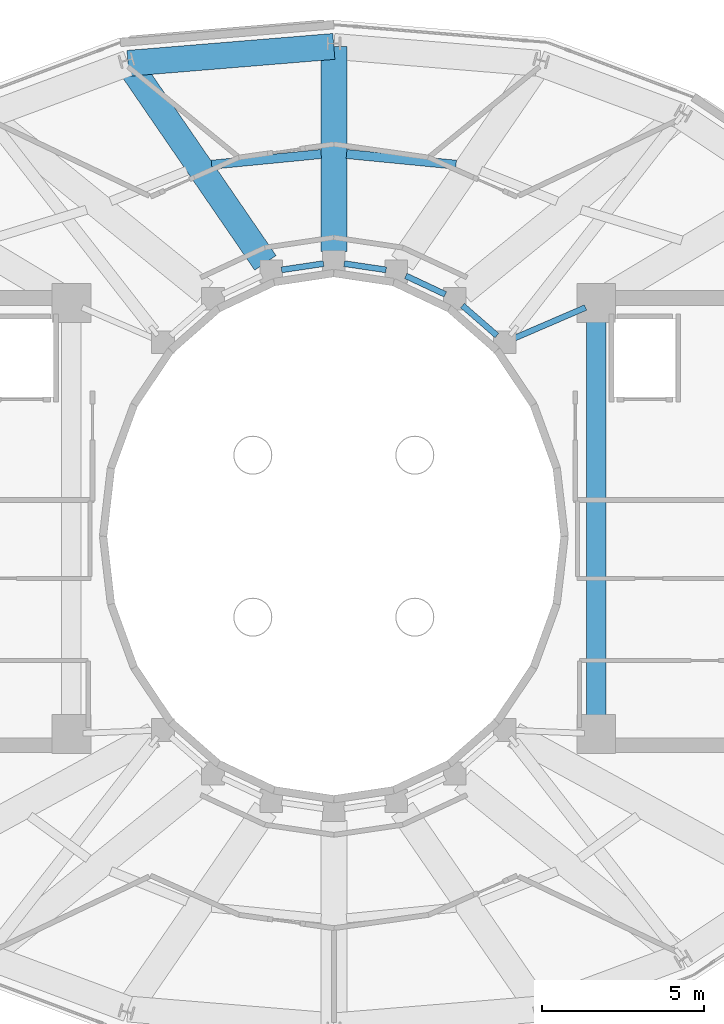
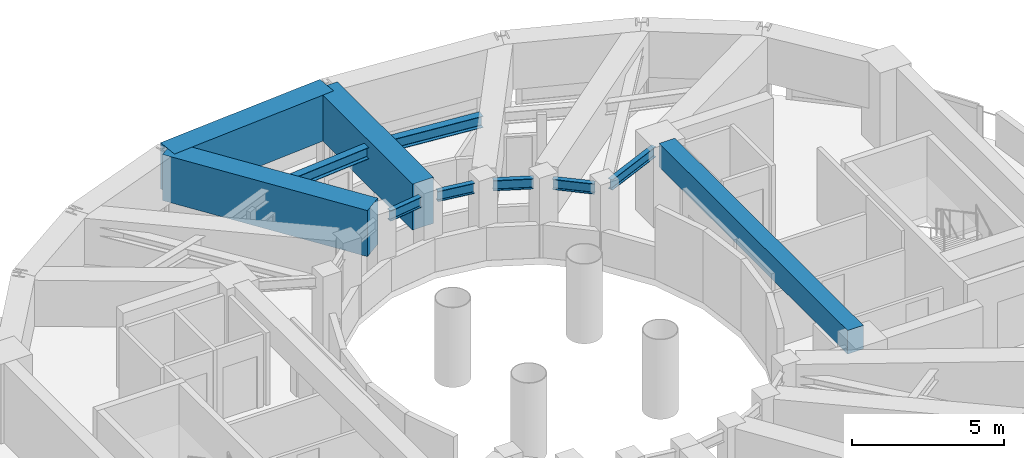
# One storey, part 8 of 17: 11 beams.
"""IFC4 building model written with IfcOpenShell, lengths in metres."""

from ifc_helpers import new_model, si_unit, direction, frame, origin, origin_2d, place, context, subcontext, project, spatial, rectangle, i_section, extrude, material, material_profile, profile_set, type_object, element, save


model = new_model("IFC4")

# Units and contexts
model_context = context("Model", 3, precision=1e-05, world=origin(), true_north=direction((0.0, 1.0)))
body_context = subcontext(model_context, "Body", "Model", "MODEL_VIEW")
ifc_project = project(units=[si_unit("LENGTHUNIT", "METRE"), si_unit("AREAUNIT", "SQUARE_METRE"), si_unit("VOLUMEUNIT", "CUBIC_METRE"), si_unit("PLANEANGLEUNIT", "RADIAN"), si_unit("MASSUNIT", "GRAM", prefix="KILO")], contexts=[model_context])

# Site, building, storey
site_placement = place(None, origin())
site = spatial("IfcSite", under=ifc_project, at=site_placement, CompositionType="ELEMENT")
building_placement = place(site_placement, origin())
building = spatial("IfcBuilding", under=site, at=building_placement, Name="Solvane Sanctuary Tower", CompositionType="ELEMENT")
storey_placement = place(building_placement, frame((0.0, 0.0, 270.0)))
storey = spatial("IfcBuildingStorey", under=building, at=storey_placement, Name="L82", CompositionType="ELEMENT", Elevation=270.0)

# Beams
ifc_material_1 = material(Name="Concrete C70/85", Category="concrete")
ifc_material_profile_1 = material_profile(ifc_material_1, rectangle(XDim=0.60009765625, YDim=0.949951171875, at=origin_2d()), Name="RC600X950")
ifc_profile_set_1 = profile_set([ifc_material_profile_1], Name="Concrete C70/85")
beam_type_1 = type_object("IfcBeamType", Name="Beam B-COUPLE RC600X950", PredefinedType="LINTEL", material=ifc_profile_set_1)
beam_1_placement = place(storey_placement, frame((40.10009765625, 17.35009765625, 2.72509765625), z_axis=(0.0, 1.0, 0.0), x_axis=(-1.0, 0.0, 0.0)))
element("IfcBeam", 1, at=beam_1_placement, inside=storey, type_object=beam_type_1, Name="L82 East Core Coupling Lintel", PredefinedType="LINTEL", context=body_context, shape_type="SweptSolid", body=[
    extrude(rectangle(XDim=0.60009765625, YDim=0.949951171875, at=origin_2d()), origin(), (0.0, 0.0, 1.0), 12.39990234375),
])
ifc_material_2 = material(Name="Steel ASTM A992 Grade 50", Category="steel")
ifc_material_profile_2 = material_profile(ifc_material_2, i_section(OverallWidth=0.180908203125, OverallDepth=0.4169921875, WebThickness=0.010986328125, FlangeThickness=0.018310546875, FilletRadius=0.012939453125, at=origin_2d()), Name="W16X57")
ifc_profile_set_2 = profile_set([ifc_material_profile_2], Name="Steel ASTM A992 Grade 50")
beam_type_2 = type_object("IfcBeamType", Name="Beam B-ROOF-BM W16X57", PredefinedType="BEAM", material=ifc_profile_set_2)
for number, where, z_axis, x_axis, name in (
    (2, (30.3857421875, 31.218994140625, 2.7294921875), (0.989056121481, 0.147539786368, 0.0), (-0.147539786368, 0.989056121481, 0.0), "L82 Inner Light-Well Ring Beam IC05-IC04"),
    (3, (32.31640625, 31.41259765625, 2.7294921875), (0.989056121481, -0.147539786368, 0.0), (0.147539786368, 0.989056121481, 0.0), "L82 Inner Light-Well Ring Beam IC04-IC03"),
):
    element("IfcBeam", number, at=place(storey_placement, frame(where, z_axis=z_axis, x_axis=x_axis)), inside=storey, type_object=beam_type_2, Name=name, PredefinedType="BEAM", context=body_context, shape_type="SweptSolid", body=[
        extrude(i_section(OverallWidth=0.180908203125, OverallDepth=0.4169921875, WebThickness=0.010986328125, FlangeThickness=0.018310546875, FilletRadius=0.012939453125, at=origin_2d()), origin(), (0.0, 0.0, 1.0), 1.312255859375),
    ])
beam_2_placement = place(storey_placement, frame((34.220458984375, 31.03564453125, 2.7294921875), z_axis=(0.905134542189, -0.425125229241, 0.0), x_axis=(0.425125229241, 0.905134542189, 0.0)))
element("IfcBeam", 4, at=beam_2_placement, inside=storey, type_object=beam_type_2, Name="L82 Inner Light-Well Ring Beam IC03-IC02", PredefinedType="BEAM", context=body_context, shape_type="SweptSolid", body=[
    extrude(i_section(OverallWidth=0.180908203125, OverallDepth=0.4169921875, WebThickness=0.010986328125, FlangeThickness=0.018310546875, FilletRadius=0.012939453125, at=origin_2d()), origin(), (0.0, 0.0, 1.0), 1.347900390625),
])
beam_3_placement = place(storey_placement, frame((35.971435546875, 30.116455078125, 2.7294921875), z_axis=(0.754388985763, -0.656427648839, 0.0), x_axis=(0.656427648839, 0.754388985763, 0.0)))
element("IfcBeam", 5, at=beam_3_placement, inside=storey, type_object=beam_type_2, Name="L82 Inner Light-Well Ring Beam IC02-IC01", PredefinedType="BEAM", context=body_context, shape_type="SweptSolid", body=[
    extrude(i_section(OverallWidth=0.180908203125, OverallDepth=0.4169921875, WebThickness=0.010986328125, FlangeThickness=0.018310546875, FilletRadius=0.012939453125, at=origin_2d()), origin(), (0.0, 0.0, 1.0), 1.408203125),
])
beam_4_placement = place(storey_placement, frame((37.56884765625, 29.10888671875, 2.7294921875), z_axis=(0.918283854026, 0.395922673554, 0.0), x_axis=(-0.395922673554, 0.918283854026, 0.0)))
element("IfcBeam", 6, at=beam_4_placement, inside=storey, type_object=beam_type_2, Name="L82 Inner Light-Well Ring Beam IC01-CE4", PredefinedType="BEAM", context=body_context, shape_type="SweptSolid", body=[
    extrude(i_section(OverallWidth=0.180908203125, OverallDepth=0.4169921875, WebThickness=0.010986328125, FlangeThickness=0.018310546875, FilletRadius=0.012939453125, at=origin_2d()), origin(), (0.0, 0.0, 1.0), 2.396240234375),
])
ifc_material_profile_3 = material_profile(ifc_material_2, i_section(OverallWidth=0.280029296875, OverallDepth=0.462890625, WebThickness=0.0107421875, FlangeThickness=0.017333984375, FilletRadius=0.013916015625, at=origin_2d()), Name="W18X76")
ifc_profile_set_3 = profile_set([ifc_material_profile_3], Name="Steel ASTM A992 Grade 50")
beam_type_3 = type_object("IfcBeamType", Name="Beam B-SEC-JOIST W18X76", PredefinedType="JOIST", material=ifc_profile_set_3)
for number, where, z_axis, x_axis, name in (
    (7, (28.228515625, 34.465087890625, 2.70654296875), (0.995261061965, 0.097238976426, 0.0), (-0.097238976426, 0.995261061965, 0.0), "L82 Secondary Circumferential Joist 05-04"),
    (8, (32.39306640625, 34.795166015625, 2.70654296875), (0.995261061965, -0.097238976426, 0.0), (0.097238976426, 0.995261061965, 0.0), "L82 Secondary Circumferential Joist 04-03"),
):
    element("IfcBeam", number, at=place(storey_placement, frame(where, z_axis=z_axis, x_axis=x_axis)), inside=storey, type_object=beam_type_3, Name=name, PredefinedType="JOIST", context=body_context, shape_type="SweptSolid", body=[
        extrude(i_section(OverallWidth=0.280029296875, OverallDepth=0.462890625, WebThickness=0.0107421875, FlangeThickness=0.017333984375, FilletRadius=0.013916015625, at=origin_2d()), origin(), (0.0, 0.0, 1.0), 3.39453125),
    ])
ifc_material_profile_4 = material_profile(ifc_material_1, rectangle(XDim=0.800048828125, YDim=1.85009765625, at=origin_2d()), Name="RC800X1850")
ifc_profile_set_4 = profile_set([ifc_material_profile_4], Name="Concrete C70/85")
beam_type_4 = type_object("IfcBeamType", Name="Beam B-XFER-BLK RC800X1850", PredefinedType="BEAM", material=ifc_profile_set_4)
beam_5_placement = place(storey_placement, frame((32.0, 31.780029296875, 2.27490234375), z_axis=(0.0, 1.0, 0.0), x_axis=(-1.0, 0.0, 0.0)))
element("IfcBeam", 9, at=beam_5_placement, inside=storey, type_object=beam_type_4, Name="L82 Block-Shift Radial Transfer Girder 04A", PredefinedType="BEAM", context=body_context, shape_type="SweptSolid", body=[
    extrude(rectangle(XDim=0.800048828125, YDim=1.85009765625, at=origin_2d()), origin(), (0.0, 0.0, 1.0), 6.326904296875),
])
beam_6_placement = place(storey_placement, frame((29.88818359375, 31.435546875, 2.27490234375), z_axis=(-0.565871663748, 0.824493335429, 0.0), x_axis=(-0.824493335429, -0.565871663748, 0.0)))
element("IfcBeam", 10, at=beam_6_placement, inside=storey, type_object=beam_type_4, Name="L82 Block-Shift Radial Transfer Girder 05A", PredefinedType="BEAM", context=body_context, shape_type="SweptSolid", body=[
    extrude(rectangle(XDim=0.800048828125, YDim=1.85009765625, at=origin_2d()), origin(), (0.0, 0.0, 1.0), 7.4755859375),
])
beam_7_placement = place(storey_placement, frame((25.646484375, 37.59375, 2.27490234375), z_axis=(0.996639145051, 0.081917120015, 0.0), x_axis=(-0.081917120015, 0.996639145051, 0.0)))
element("IfcBeam", 11, at=beam_7_placement, inside=storey, type_object=beam_type_4, Name="L82 Perimeter Step Transfer Ring NTC05-NTC04", PredefinedType="BEAM", context=body_context, shape_type="SweptSolid", body=[
    extrude(rectangle(XDim=0.800048828125, YDim=1.85009765625, at=origin_2d()), origin(), (0.0, 0.0, 1.0), 6.375),
])

save(model, "model.ifc")
